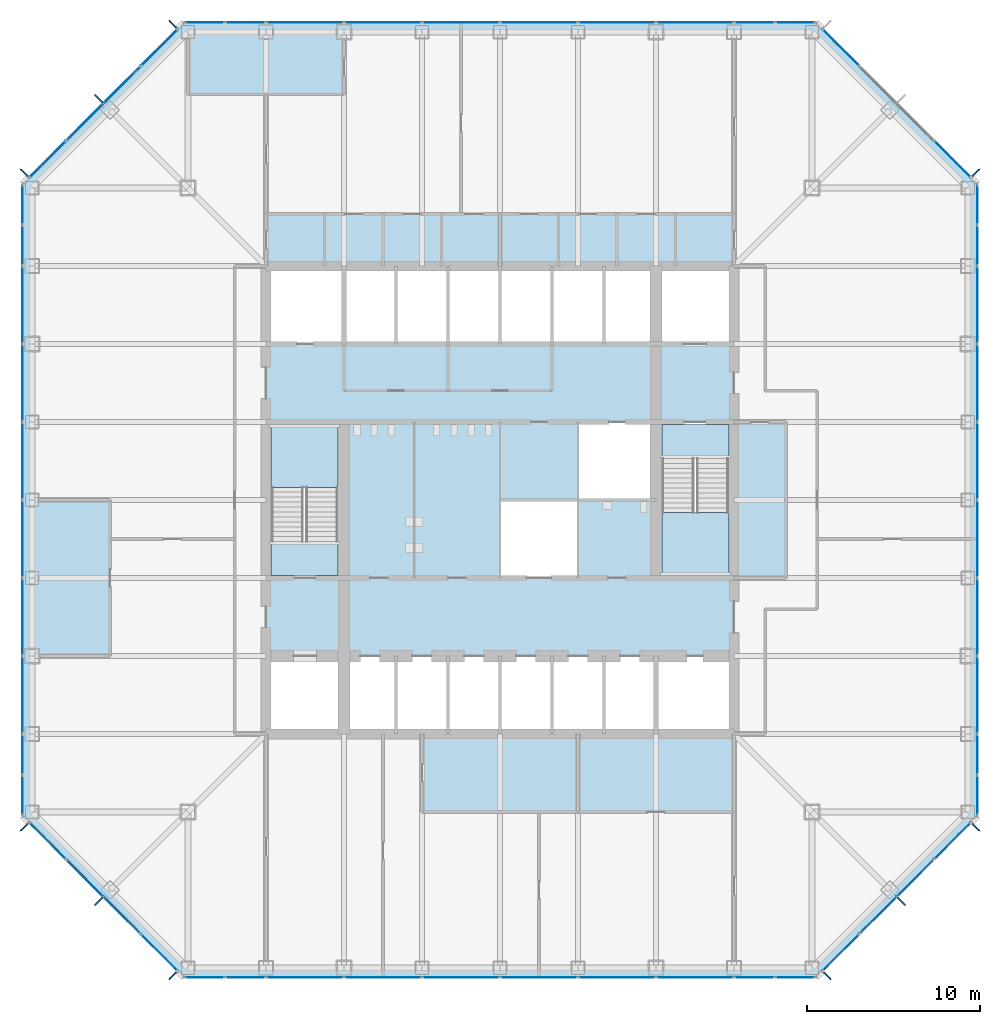
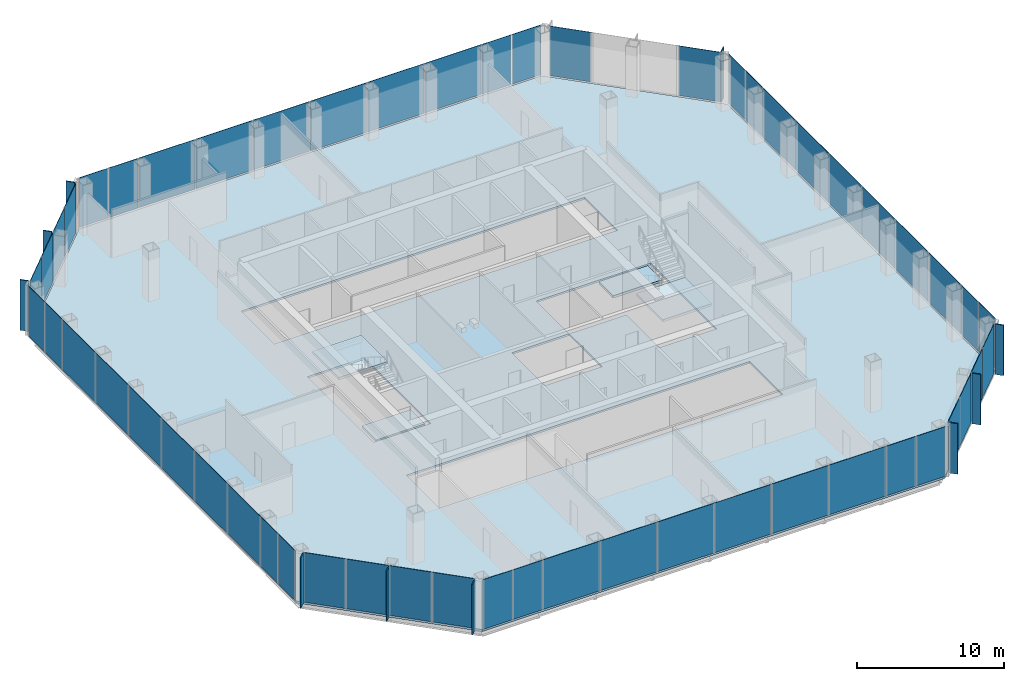
# One storey, part 7 of 13: 64 plates, 5 slabs, 10 elements without a shape of their own.
"""IFC4 building model written with IfcOpenShell, lengths in metres."""

import ifcopenshell
import ifcopenshell.guid

model = None  # the IFC model being written
_history = None  # IfcOwnerHistory: only IFC2X3 demands one
_inside = {}  # id of a spatial element -> (the spatial element, [elements in it])
_under = {}  # id of a project, library or spatial element -> (it, [spatial elements below it])
_declared = {}  # id of a project -> (the project, [libraries it declares])
_typed = {}  # id of a type object -> (the type object, [elements of that type])
_made_of = {}  # id of a material, layer set ... -> (it, [elements and type objects made of it])


def new_model(schema):
    """Start an empty IFC model of exactly this schema.

    Asked for "IFC4X3", IfcOpenShell would pick the latest addendum, in which some entities
    have other attributes; the version numbers below select the first issue.
    IFC2X3 requires an IfcOwnerHistory on every rooted entity: one is made here for all.
    """
    global model, _history
    if schema == "IFC4X3":
        model = ifcopenshell.file(schema_version=(4, 3, 0, 0))
    else:
        model = ifcopenshell.file(schema=schema)
    _inside.clear()
    _under.clear()
    _declared.clear()
    _typed.clear()
    _made_of.clear()
    _history = None
    if model.schema == "IFC2X3":
        org = make("IfcOrganization", Name="unknown")
        user = make(
            "IfcPersonAndOrganization",
            ThePerson=make("IfcPerson", FamilyName="unknown"),
            TheOrganization=org,
        )
        app = make(
            "IfcApplication",
            ApplicationDeveloper=org,
            Version="unknown",
            ApplicationFullName="unknown",
            ApplicationIdentifier="unknown",
        )
        _history = make(
            "IfcOwnerHistory",
            OwningUser=user,
            OwningApplication=app,
            ChangeAction="ADDED",
            CreationDate=0,
        )
    return model


def make(cls, **values):
    """One entity of the class cls with the attributes given. An attribute that is None is left unset."""
    return model.create_entity(
        cls, **{name: value for name, value in values.items() if value is not None}
    )


def rooted(cls, **values):
    """An entity with a GlobalId (a new one), such as an element, a storey or a relation."""
    return make(cls, GlobalId=ifcopenshell.guid.new(), OwnerHistory=_history, **values)


def si_unit(unit_type, name, prefix=None):
    """IfcSIUnit, for example si_unit("LENGTHUNIT", "METRE", prefix="MILLI")."""
    return make("IfcSIUnit", UnitType=unit_type, Prefix=prefix, Name=name)


def assignment(units):
    """IfcUnitAssignment: the units of a project."""
    return None if units is None else make("IfcUnitAssignment", Units=units)


def point(xyz):
    """IfcCartesianPoint."""
    return None if xyz is None else make("IfcCartesianPoint", Coordinates=xyz)


def direction(xyz):
    """IfcDirection."""
    return None if xyz is None else make("IfcDirection", DirectionRatios=xyz)


def frame(location, z_axis=None, x_axis=None):
    """IfcAxis2Placement3D, a coordinate frame: its origin and axes. An axis left out is left unset."""
    return make(
        "IfcAxis2Placement3D",
        Location=point(location),
        Axis=direction(z_axis),
        RefDirection=direction(x_axis),
    )


def frame_2d(location, x_axis=None):
    """IfcAxis2Placement2D, a coordinate frame in the plane: its origin and x axis."""
    return make(
        "IfcAxis2Placement2D", Location=point(location), RefDirection=direction(x_axis)
    )


def origin():
    """The frame at (0, 0, 0) with its axes left unset."""
    return frame((0.0, 0.0, 0.0))


def origin_2d():
    """The frame at (0, 0) in the plane with its x axis left unset."""
    return frame_2d((0.0, 0.0))


def place(relative_to, where):
    """IfcLocalPlacement: puts the frame where relative to a parent placement (None: the world)."""
    return make(
        "IfcLocalPlacement", PlacementRelTo=relative_to, RelativePlacement=where
    )


def context(
    kind, dimensions, precision=None, world=None, true_north=None, identifier=None
):
    """IfcGeometricRepresentationContext, for example the 3D "Model" context."""
    return make(
        "IfcGeometricRepresentationContext",
        ContextIdentifier=identifier,
        ContextType=kind,
        CoordinateSpaceDimension=dimensions,
        Precision=precision,
        WorldCoordinateSystem=world,
        TrueNorth=true_north,
    )


def subcontext(parent, identifier, kind, view, scale=None):
    """IfcGeometricRepresentationSubContext, for example "Body" below "Model"."""
    return make(
        "IfcGeometricRepresentationSubContext",
        ContextIdentifier=identifier,
        ContextType=kind,
        ParentContext=parent,
        TargetScale=scale,
        TargetView=view,
    )


def project(units=None, contexts=None):
    """IfcProject with its units and contexts."""
    return rooted(
        "IfcProject",
        Name="project",
        RepresentationContexts=contexts,
        UnitsInContext=assignment(units),
    )


def spatial(cls, under=None, at=None, **own):
    """A site, building, storey or space (cls), placed at a placement, below another one or the project."""
    s = rooted(cls, ObjectPlacement=at, **own)
    if under is not None:
        _under.setdefault(under.id(), (under, []))[1].append(s)
    return s


def polyline(points):
    """IfcPolyline through the points."""
    return make("IfcPolyline", Points=[point(p) for p in points])


def profile(cls, at=None, kind="AREA", **sizes):
    """A parametric profile (cls). Its sizes go by their IFC names, for example OverallWidth=200.0."""
    return make(cls, ProfileType=kind, Position=at, **sizes)


def rectangle(**sizes):
    """IfcRectangleProfileDef."""
    return profile("IfcRectangleProfileDef", **sizes)


def outline(outer, holes=None, kind="AREA"):
    """IfcArbitraryClosedProfileDef: a profile drawn as a closed curve; with holes, ...WithVoids."""
    if holes is None:
        return make("IfcArbitraryClosedProfileDef", ProfileType=kind, OuterCurve=outer)
    return make(
        "IfcArbitraryProfileDefWithVoids",
        ProfileType=kind,
        OuterCurve=outer,
        InnerCurves=holes,
    )


def extrude(swept, where, along, depth):
    """IfcExtrudedAreaSolid: the profile swept, set in the frame where, extruded along a direction by depth."""
    return make(
        "IfcExtrudedAreaSolid",
        SweptArea=swept,
        Position=where,
        ExtrudedDirection=direction(along),
        Depth=depth,
    )


def shape(context_of_items, identifier, shape_type, items):
    """IfcShapeRepresentation: the items that make up one representation, for example the "Body"."""
    return make(
        "IfcShapeRepresentation",
        ContextOfItems=context_of_items,
        RepresentationIdentifier=identifier,
        RepresentationType=shape_type,
        Items=items,
    )


def material(Name=None, Category=None):
    """IfcMaterial."""
    return make("IfcMaterial", Name=Name, Category=Category)


def layer(
    of_material, thickness, ventilated=None, Name=None, Category=None, Priority=None
):
    """IfcMaterialLayer: one layer of a wall or slab, of a material (None: an air gap)."""
    return make(
        "IfcMaterialLayer",
        Material=of_material,
        LayerThickness=thickness,
        IsVentilated=ventilated,
        Name=Name,
        Category=Category,
        Priority=Priority,
    )


def layer_set(layers, Name=None):
    """IfcMaterialLayerSet."""
    return make("IfcMaterialLayerSet", MaterialLayers=layers, LayerSetName=Name)


def made_of(thing, what):
    """Note that an element or type object is made of a material, layer set ...; save() writes the relation."""
    if what is not None:
        _made_of.setdefault(what.id(), (what, []))[1].append(thing)
    return thing


def type_object(cls, material=None, **own):
    """A type object (cls), such as IfcWallType, which elements share."""
    return made_of(rooted(cls, **own), material)


def element(
    cls,
    number,
    at=None,
    inside=None,
    cuts=None,
    type_object=None,
    material=None,
    context=None,
    identifier="Body",
    shape_type=None,
    held_by="IfcProductDefinitionShape",
    body=None,
    shapes=None,
    **own,
):
    """One element of the class cls, such as IfcWall. Its Tag is "e" and its number.

    at: its placement. inside: the storey or other place that contains it. cuts: it is an
    opening in that element (IfcRelVoidsElement). A single representation is given by context,
    identifier, shape_type and body (its items); several are given by shapes. held_by: the class
    of the entity that holds the representations. save() writes the other relations.
    """
    e = rooted(cls, Tag="e%d" % number, ObjectPlacement=at, **own)
    if body is not None:
        shapes = [shape(context, identifier, shape_type, body)]
    if shapes is not None:
        e.Representation = make(held_by, Representations=shapes)
    if inside is not None:
        _inside.setdefault(inside.id(), (inside, []))[1].append(e)
    if cuts is not None:
        rooted(
            "IfcRelVoidsElement", RelatingBuildingElement=cuts, RelatedOpeningElement=e
        )
    if type_object is not None:
        _typed.setdefault(type_object.id(), (type_object, []))[1].append(e)
    return made_of(e, material)


def aggregate(whole, parts):
    """IfcRelAggregates: a whole, such as a stair, and the parts it consists of."""
    return rooted("IfcRelAggregates", RelatingObject=whole, RelatedObjects=parts)


def save(model, path):
    """Write the relations noted so far, then the file.

    IfcRelAggregates (storeys below a building ...), IfcRelContainedInSpatialStructure (elements
    in a storey), IfcRelDefinesByType, IfcRelAssociatesMaterial and IfcRelDeclares: one each for
    every whole, place, type object, material and project.
    """
    for whole, parts in _under.values():
        aggregate(whole, parts)
    for where, things in _inside.values():
        rooted(
            "IfcRelContainedInSpatialStructure",
            RelatedElements=things,
            RelatingStructure=where,
        )
    for kind, things in _typed.values():
        rooted("IfcRelDefinesByType", RelatedObjects=things, RelatingType=kind)
    for what, things in _made_of.values():
        rooted("IfcRelAssociatesMaterial", RelatedObjects=things, RelatingMaterial=what)
    for by, libraries in _declared.values():
        rooted("IfcRelDeclares", RelatingContext=by, RelatedDefinitions=libraries)
    model.write(path)


model = new_model("IFC4")

# Units and contexts
model_context = context("Model", 3, precision=1e-05, world=origin(), true_north=direction((0.0, 1.0)))
body_context = subcontext(model_context, "Body", "Model", "MODEL_VIEW")
ifc_project = project(units=[si_unit("LENGTHUNIT", "METRE"), si_unit("AREAUNIT", "SQUARE_METRE"), si_unit("VOLUMEUNIT", "CUBIC_METRE"), si_unit("PLANEANGLEUNIT", "RADIAN"), si_unit("MASSUNIT", "GRAM", prefix="KILO")], contexts=[model_context])

# Site, building, storey
site_placement = place(None, origin())
site = spatial("IfcSite", under=ifc_project, at=site_placement, CompositionType="ELEMENT")
building_placement = place(site_placement, origin())
building = spatial("IfcBuilding", under=site, at=building_placement, Name="Corais Broadcast Tower", CompositionType="ELEMENT")
storey_placement = place(building_placement, frame((0.0, 0.0, 62.60009765625)))
storey = spatial("IfcBuildingStorey", under=building, at=storey_placement, Name="L13", CompositionType="ELEMENT", Elevation=62.60009765625)

# Slab
ifc_material_1 = material(Name="Concrete C30/37", Category="concrete")
ifc_layer_1 = layer(ifc_material_1, 0.159912109375)
ifc_layer_set_1 = layer_set([ifc_layer_1], Name="Concrete C30/37")
slab_type_1 = type_object("IfcSlabType", Name="Composite floor slab 160", PredefinedType="FLOOR", material=ifc_layer_set_1)
slab_1_placement = place(storey_placement, frame((0.0, 0.0, -0.16015625)))
element("IfcSlab", 1, at=slab_1_placement, inside=storey, type_object=slab_type_1, Name="S160 floor slab L13", PredefinedType="FLOOR", context=body_context, shape_type="SweptSolid", body=[
    extrude(outline(polyline([(8.80126953125, -0.47998046875), (-0.47998046875, 8.80126953125), (-0.47998046875, 45.19873046875), (8.80126953125, 54.47998046875), (45.19873046875, 54.47998046875), (54.47998046875, 45.19873046875), (54.47998046875, 8.80126953125), (45.19873046875, -0.47998046875), (8.80126953125, -0.47998046875)]), holes=[polyline([(13.5, 18.0), (40.5, 18.0), (40.5, 13.5), (13.5, 13.5), (13.5, 18.0)]), polyline([(13.5, 22.5), (13.5, 31.5), (18.0, 31.5), (18.0, 22.5), (13.5, 22.5)]), polyline([(13.5, 40.5), (40.5, 40.5), (40.5, 36.0), (13.5, 36.0), (13.5, 40.5)]), polyline([(27.0, 22.5), (27.0, 27.0), (31.4951171875, 27.0), (31.4951171875, 27.0048828125), (31.5, 27.0048828125), (31.5, 31.5), (40.5, 31.5), (40.5, 22.5), (36.0, 22.5), (36.0, 27.0), (31.5048828125, 27.0), (31.5048828125, 26.9951171875), (31.5, 26.9951171875), (31.5, 22.5), (27.0, 22.5)])]), origin(), (0.0, 0.0, 1.0), 0.16015625),
])

# Curtain wall, plates
ifc_material_2 = material(Name="Aluminium and glass", Category="aluminium")
curtain_wall_type = type_object("IfcCurtainWallType", Name="Unitised fritted curtain wall CW1", PredefinedType="NOTDEFINED", material=ifc_material_2)
curtain_wall_1_placement = place(storey_placement, origin())
curtain_wall_1 = element("IfcCurtainWall", 2, at=curtain_wall_1_placement, inside=storey, type_object=curtain_wall_type, Name="CW1 curtain wall L13 1", PredefinedType="NOTDEFINED")
ifc_material_3 = material(Name="Ceramic-fritted laminated glass", Category="glass")
ifc_layer_2 = layer(ifc_material_3, 0.030029296875)
ifc_layer_set_2 = layer_set([ifc_layer_2], Name="Ceramic-fritted laminated glass")
plate_type_1 = type_object("IfcPlateType", Name="Fritted glass panel CW1", PredefinedType="CURTAIN_PANEL", material=ifc_layer_set_2)
plate_1_placement = place(storey_placement, frame((7.330322265625, 0.891845703125, 0.06494140625), z_axis=(0.0, 0.0, 1.0), x_axis=(-0.707106781187, 0.707106781187, 0.0)))
plate_1 = element("IfcPlate", 3, at=plate_1_placement, type_object=plate_type_1, Name="CW1 panel 1", PredefinedType="CURTAIN_PANEL", context=body_context, shape_type="SweptSolid", body=[
    extrude(rectangle(XDim=2.9482421875, YDim=0.030029296875, at=origin_2d()), origin(), (0.0, 0.0, 1.0), 4.135009765625),
])
plate_2_placement = place(storey_placement, frame((3.0341796875, 5.18798828125, 0.06494140625), z_axis=(0.0, 0.0, 1.0), x_axis=(-0.707106781187, 0.707106781187, 0.0)))
plate_2 = element("IfcPlate", 4, at=plate_2_placement, type_object=plate_type_1, Name="CW1 panel 3", PredefinedType="CURTAIN_PANEL", context=body_context, shape_type="SweptSolid", body=[
    extrude(rectangle(XDim=2.98095703125, YDim=0.030029296875, at=origin_2d()), origin(), (0.0, 0.0, 1.0), 4.135009765625),
])

curtain_wall_2_placement = place(storey_placement, origin())
curtain_wall_2 = element("IfcCurtainWall", 5, at=curtain_wall_2_placement, inside=storey, type_object=curtain_wall_type, Name="CW1 curtain wall L13 2", PredefinedType="NOTDEFINED")
plate_3_placement = place(storey_placement, frame((-0.550048828125, 9.970458984375, 0.06494140625), z_axis=(0.0, 0.0, 1.0), x_axis=(0.0, 1.0, 0.0)))
plate_3 = element("IfcPlate", 6, at=plate_3_placement, type_object=plate_type_1, Name="CW1 panel 1", PredefinedType="CURTAIN_PANEL", context=body_context, shape_type="SweptSolid", body=[
    extrude(rectangle(XDim=2.266357421875, YDim=0.030029296875, at=origin_2d()), origin(), (0.0, 0.0, 1.0), 4.135009765625),
])
plate_4_placement = place(storey_placement, frame((-0.550048828125, 15.75, 0.06494140625), z_axis=(0.0, 0.0, 1.0), x_axis=(0.0, 1.0, 0.0)))
plate_4 = element("IfcPlate", 7, at=plate_4_placement, type_object=plate_type_1, Name="CW1 panel 3", PredefinedType="CURTAIN_PANEL", context=body_context, shape_type="SweptSolid", body=[
    extrude(rectangle(XDim=4.43505859375, YDim=0.030029296875, at=origin_2d()), origin(), (0.0, 0.0, 1.0), 4.135009765625),
])
plate_5_placement = place(storey_placement, frame((-0.550048828125, 24.75, 0.06494140625), z_axis=(0.0, 0.0, 1.0), x_axis=(0.0, 1.0, 0.0)))
plate_5 = element("IfcPlate", 8, at=plate_5_placement, type_object=plate_type_1, Name="CW1 panel 5", PredefinedType="CURTAIN_PANEL", context=body_context, shape_type="SweptSolid", body=[
    extrude(rectangle(XDim=4.43505859375, YDim=0.030029296875, at=origin_2d()), origin(), (0.0, 0.0, 1.0), 4.135009765625),
])
plate_6_placement = place(storey_placement, frame((-0.550048828125, 33.75, 0.06494140625), z_axis=(0.0, 0.0, 1.0), x_axis=(0.0, 1.0, 0.0)))
plate_6 = element("IfcPlate", 9, at=plate_6_placement, type_object=plate_type_1, Name="CW1 panel 7", PredefinedType="CURTAIN_PANEL", context=body_context, shape_type="SweptSolid", body=[
    extrude(rectangle(XDim=4.43505859375, YDim=0.030029296875, at=origin_2d()), origin(), (0.0, 0.0, 1.0), 4.135009765625),
])
plate_7_placement = place(storey_placement, frame((-0.550048828125, 41.681884765625, 0.06494140625), z_axis=(0.0, 0.0, 1.0), x_axis=(0.0, 1.0, 0.0)))
plate_7 = element("IfcPlate", 10, at=plate_7_placement, type_object=plate_type_1, Name="CW1 panel 9", PredefinedType="CURTAIN_PANEL", context=body_context, shape_type="SweptSolid", body=[
    extrude(rectangle(XDim=2.298828125, YDim=0.030029296875, at=origin_2d()), origin(), (0.0, 0.0, 1.0), 4.135009765625),
])

curtain_wall_3_placement = place(storey_placement, origin())
curtain_wall_3 = element("IfcCurtainWall", 11, at=curtain_wall_3_placement, inside=storey, type_object=curtain_wall_type, Name="CW1 curtain wall L13 3", PredefinedType="NOTDEFINED")
plate_8_placement = place(storey_placement, frame((0.891845703125, 46.669677734375, 0.06494140625), z_axis=(0.0, 0.0, 1.0), x_axis=(0.707106781187, 0.707106781187, 0.0)))
plate_8 = element("IfcPlate", 12, at=plate_8_placement, type_object=plate_type_1, Name="CW1 panel 1", PredefinedType="CURTAIN_PANEL", context=body_context, shape_type="SweptSolid", body=[
    extrude(rectangle(XDim=2.9482421875, YDim=0.030029296875, at=origin_2d()), origin(), (0.0, 0.0, 1.0), 4.135009765625),
])
plate_9_placement = place(storey_placement, frame((5.18798828125, 50.9658203125, 0.06494140625), z_axis=(0.0, 0.0, 1.0), x_axis=(0.707106781187, 0.707106781187, 0.0)))
plate_9 = element("IfcPlate", 13, at=plate_9_placement, type_object=plate_type_1, Name="CW1 panel 3", PredefinedType="CURTAIN_PANEL", context=body_context, shape_type="SweptSolid", body=[
    extrude(rectangle(XDim=2.98095703125, YDim=0.030029296875, at=origin_2d()), origin(), (0.0, 0.0, 1.0), 4.135009765625),
])

curtain_wall_4_placement = place(storey_placement, origin())
curtain_wall_4 = element("IfcCurtainWall", 14, at=curtain_wall_4_placement, inside=storey, type_object=curtain_wall_type, Name="CW1 curtain wall L13 4", PredefinedType="NOTDEFINED")
plate_10_placement = place(storey_placement, frame((9.970458984375, 54.550048828125, 0.06494140625), z_axis=(0.0, 0.0, 1.0), x_axis=(1.0, 0.0, 0.0)))
plate_10 = element("IfcPlate", 15, at=plate_10_placement, type_object=plate_type_1, Name="CW1 panel 1", PredefinedType="CURTAIN_PANEL", context=body_context, shape_type="SweptSolid", body=[
    extrude(rectangle(XDim=2.266357421875, YDim=0.030029296875, at=origin_2d()), origin(), (0.0, 0.0, 1.0), 4.135009765625),
])
plate_11_placement = place(storey_placement, frame((15.75, 54.550048828125, 0.06494140625), z_axis=(0.0, 0.0, 1.0), x_axis=(1.0, 0.0, 0.0)))
plate_11 = element("IfcPlate", 16, at=plate_11_placement, type_object=plate_type_1, Name="CW1 panel 3", PredefinedType="CURTAIN_PANEL", context=body_context, shape_type="SweptSolid", body=[
    extrude(rectangle(XDim=4.43505859375, YDim=0.030029296875, at=origin_2d()), origin(), (0.0, 0.0, 1.0), 4.135009765625),
])
plate_12_placement = place(storey_placement, frame((24.75, 54.550048828125, 0.06494140625), z_axis=(0.0, 0.0, 1.0), x_axis=(1.0, 0.0, 0.0)))
plate_12 = element("IfcPlate", 17, at=plate_12_placement, type_object=plate_type_1, Name="CW1 panel 5", PredefinedType="CURTAIN_PANEL", context=body_context, shape_type="SweptSolid", body=[
    extrude(rectangle(XDim=4.43505859375, YDim=0.030029296875, at=origin_2d()), origin(), (0.0, 0.0, 1.0), 4.135009765625),
])
plate_13_placement = place(storey_placement, frame((33.75, 54.550048828125, 0.06494140625), z_axis=(0.0, 0.0, 1.0), x_axis=(1.0, 0.0, 0.0)))
plate_13 = element("IfcPlate", 18, at=plate_13_placement, type_object=plate_type_1, Name="CW1 panel 7", PredefinedType="CURTAIN_PANEL", context=body_context, shape_type="SweptSolid", body=[
    extrude(rectangle(XDim=4.43505859375, YDim=0.030029296875, at=origin_2d()), origin(), (0.0, 0.0, 1.0), 4.135009765625),
])
plate_14_placement = place(storey_placement, frame((41.681884765625, 54.550048828125, 0.06494140625), z_axis=(0.0, 0.0, 1.0), x_axis=(1.0, 0.0, 0.0)))
plate_14 = element("IfcPlate", 19, at=plate_14_placement, type_object=plate_type_1, Name="CW1 panel 9", PredefinedType="CURTAIN_PANEL", context=body_context, shape_type="SweptSolid", body=[
    extrude(rectangle(XDim=2.298828125, YDim=0.030029296875, at=origin_2d()), origin(), (0.0, 0.0, 1.0), 4.135009765625),
])

# Curtain wall, plate
curtain_wall_5_placement = place(storey_placement, origin())
curtain_wall_5 = element("IfcCurtainWall", 20, at=curtain_wall_5_placement, inside=storey, type_object=curtain_wall_type, Name="CW1 curtain wall L13 5", PredefinedType="NOTDEFINED")
plate_15_placement = place(storey_placement, frame((46.669677734375, 53.108154296875, 0.06494140625), z_axis=(0.0, 0.0, 1.0), x_axis=(0.707106781187, -0.707106781187, 0.0)))
plate_15 = element("IfcPlate", 21, at=plate_15_placement, type_object=plate_type_1, Name="CW1 panel 1", PredefinedType="CURTAIN_PANEL", context=body_context, shape_type="SweptSolid", body=[
    extrude(rectangle(XDim=2.9482421875, YDim=0.030029296875, at=origin_2d()), origin(), (0.0, 0.0, 1.0), 4.135009765625),
])

# Curtain wall, plates
curtain_wall_6_placement = place(storey_placement, origin())
curtain_wall_6 = element("IfcCurtainWall", 22, at=curtain_wall_6_placement, inside=storey, type_object=curtain_wall_type, Name="CW1 curtain wall L13 6", PredefinedType="NOTDEFINED")
plate_16_placement = place(storey_placement, frame((54.550048828125, 44.029541015625, 0.06494140625), z_axis=(0.0, 0.0, 1.0), x_axis=(0.0, -1.0, 0.0)))
plate_16 = element("IfcPlate", 23, at=plate_16_placement, type_object=plate_type_1, Name="CW1 panel 1", PredefinedType="CURTAIN_PANEL", context=body_context, shape_type="SweptSolid", body=[
    extrude(rectangle(XDim=2.266357421875, YDim=0.030029296875, at=origin_2d()), origin(), (0.0, 0.0, 1.0), 4.135009765625),
])
plate_17_placement = place(storey_placement, frame((54.550048828125, 38.25, 0.06494140625), z_axis=(0.0, 0.0, 1.0), x_axis=(0.0, -1.0, 0.0)))
plate_17 = element("IfcPlate", 24, at=plate_17_placement, type_object=plate_type_1, Name="CW1 panel 3", PredefinedType="CURTAIN_PANEL", context=body_context, shape_type="SweptSolid", body=[
    extrude(rectangle(XDim=4.43505859375, YDim=0.030029296875, at=origin_2d()), origin(), (0.0, 0.0, 1.0), 4.135009765625),
])
plate_18_placement = place(storey_placement, frame((54.550048828125, 29.25, 0.06494140625), z_axis=(0.0, 0.0, 1.0), x_axis=(0.0, -1.0, 0.0)))
plate_18 = element("IfcPlate", 25, at=plate_18_placement, type_object=plate_type_1, Name="CW1 panel 5", PredefinedType="CURTAIN_PANEL", context=body_context, shape_type="SweptSolid", body=[
    extrude(rectangle(XDim=4.43505859375, YDim=0.030029296875, at=origin_2d()), origin(), (0.0, 0.0, 1.0), 4.135009765625),
])
plate_19_placement = place(storey_placement, frame((54.550048828125, 20.25, 0.06494140625), z_axis=(0.0, 0.0, 1.0), x_axis=(0.0, -1.0, 0.0)))
plate_19 = element("IfcPlate", 26, at=plate_19_placement, type_object=plate_type_1, Name="CW1 panel 7", PredefinedType="CURTAIN_PANEL", context=body_context, shape_type="SweptSolid", body=[
    extrude(rectangle(XDim=4.43505859375, YDim=0.030029296875, at=origin_2d()), origin(), (0.0, 0.0, 1.0), 4.135009765625),
])
plate_20_placement = place(storey_placement, frame((54.550048828125, 12.318115234375, 0.06494140625), z_axis=(0.0, 0.0, 1.0), x_axis=(0.0, -1.0, 0.0)))
plate_20 = element("IfcPlate", 27, at=plate_20_placement, type_object=plate_type_1, Name="CW1 panel 9", PredefinedType="CURTAIN_PANEL", context=body_context, shape_type="SweptSolid", body=[
    extrude(rectangle(XDim=2.298828125, YDim=0.030029296875, at=origin_2d()), origin(), (0.0, 0.0, 1.0), 4.135009765625),
])

curtain_wall_7_placement = place(storey_placement, origin())
curtain_wall_7 = element("IfcCurtainWall", 28, at=curtain_wall_7_placement, inside=storey, type_object=curtain_wall_type, Name="CW1 curtain wall L13 7", PredefinedType="NOTDEFINED")
plate_21_placement = place(storey_placement, frame((53.108154296875, 7.330322265625, 0.06494140625), z_axis=(0.0, 0.0, 1.0), x_axis=(-0.707106781187, -0.707106781187, 0.0)))
plate_21 = element("IfcPlate", 29, at=plate_21_placement, type_object=plate_type_1, Name="CW1 panel 1", PredefinedType="CURTAIN_PANEL", context=body_context, shape_type="SweptSolid", body=[
    extrude(rectangle(XDim=2.9482421875, YDim=0.030029296875, at=origin_2d()), origin(), (0.0, 0.0, 1.0), 4.135009765625),
])
plate_22_placement = place(storey_placement, frame((48.81201171875, 3.0341796875, 0.06494140625), z_axis=(0.0, 0.0, 1.0), x_axis=(-0.707106781187, -0.707106781187, 0.0)))
plate_22 = element("IfcPlate", 30, at=plate_22_placement, type_object=plate_type_1, Name="CW1 panel 3", PredefinedType="CURTAIN_PANEL", context=body_context, shape_type="SweptSolid", body=[
    extrude(rectangle(XDim=2.98095703125, YDim=0.030029296875, at=origin_2d()), origin(), (0.0, 0.0, 1.0), 4.135009765625),
])

curtain_wall_8_placement = place(storey_placement, origin())
curtain_wall_8 = element("IfcCurtainWall", 31, at=curtain_wall_8_placement, inside=storey, type_object=curtain_wall_type, Name="CW1 curtain wall L13 8", PredefinedType="NOTDEFINED")
plate_23_placement = place(storey_placement, frame((44.029541015625, -0.550048828125, 0.06494140625), z_axis=(0.0, 0.0, 1.0), x_axis=(-1.0, 0.0, 0.0)))
plate_23 = element("IfcPlate", 32, at=plate_23_placement, type_object=plate_type_1, Name="CW1 panel 1", PredefinedType="CURTAIN_PANEL", context=body_context, shape_type="SweptSolid", body=[
    extrude(rectangle(XDim=2.266357421875, YDim=0.030029296875, at=origin_2d()), origin(), (0.0, 0.0, 1.0), 4.135009765625),
])
plate_24_placement = place(storey_placement, frame((38.25, -0.550048828125, 0.06494140625), z_axis=(0.0, 0.0, 1.0), x_axis=(-1.0, 0.0, 0.0)))
plate_24 = element("IfcPlate", 33, at=plate_24_placement, type_object=plate_type_1, Name="CW1 panel 3", PredefinedType="CURTAIN_PANEL", context=body_context, shape_type="SweptSolid", body=[
    extrude(rectangle(XDim=4.43505859375, YDim=0.030029296875, at=origin_2d()), origin(), (0.0, 0.0, 1.0), 4.135009765625),
])
plate_25_placement = place(storey_placement, frame((29.25, -0.550048828125, 0.06494140625), z_axis=(0.0, 0.0, 1.0), x_axis=(-1.0, 0.0, 0.0)))
plate_25 = element("IfcPlate", 34, at=plate_25_placement, type_object=plate_type_1, Name="CW1 panel 5", PredefinedType="CURTAIN_PANEL", context=body_context, shape_type="SweptSolid", body=[
    extrude(rectangle(XDim=4.43505859375, YDim=0.030029296875, at=origin_2d()), origin(), (0.0, 0.0, 1.0), 4.135009765625),
])
plate_26_placement = place(storey_placement, frame((20.25, -0.550048828125, 0.06494140625), z_axis=(0.0, 0.0, 1.0), x_axis=(-1.0, 0.0, 0.0)))
plate_26 = element("IfcPlate", 35, at=plate_26_placement, type_object=plate_type_1, Name="CW1 panel 7", PredefinedType="CURTAIN_PANEL", context=body_context, shape_type="SweptSolid", body=[
    extrude(rectangle(XDim=4.43505859375, YDim=0.030029296875, at=origin_2d()), origin(), (0.0, 0.0, 1.0), 4.135009765625),
])
plate_27_placement = place(storey_placement, frame((12.318115234375, -0.550048828125, 0.06494140625), z_axis=(0.0, 0.0, 1.0), x_axis=(-1.0, 0.0, 0.0)))
plate_27 = element("IfcPlate", 36, at=plate_27_placement, type_object=plate_type_1, Name="CW1 panel 9", PredefinedType="CURTAIN_PANEL", context=body_context, shape_type="SweptSolid", body=[
    extrude(rectangle(XDim=2.298828125, YDim=0.030029296875, at=origin_2d()), origin(), (0.0, 0.0, 1.0), 4.135009765625),
])

# Plate
ifc_material_4 = material(Name="Clear laminated glass", Category="glass")
ifc_layer_3 = layer(ifc_material_4, 0.033935546875)
ifc_layer_set_3 = layer_set([ifc_layer_3], Name="Clear laminated glass")
plate_type_2 = type_object("IfcPlateType", Name="Operable glass panel CW1", PredefinedType="CURTAIN_PANEL", material=ifc_layer_set_3)
plate_28_placement = place(storey_placement, frame((5.18798828125, 3.0341796875, 0.06494140625), z_axis=(0.0, 0.0, 1.0), x_axis=(-0.707106781187, 0.707106781187, 0.0)))
plate_28 = element("IfcPlate", 37, at=plate_28_placement, type_object=plate_type_2, Name="CW1 operable panel 2", PredefinedType="CURTAIN_PANEL", context=body_context, shape_type="SweptSolid", body=[
    extrude(rectangle(XDim=2.98095703125, YDim=0.033935546875, at=origin_2d()), origin(), (0.0, 0.0, 1.0), 4.135009765625),
])

plate_29_placement = place(storey_placement, frame((0.89208984375, 7.330322265625, 0.06494140625), z_axis=(0.0, 0.0, 1.0), x_axis=(-0.707106781187, 0.707106781187, 0.0)))
plate_29 = element("IfcPlate", 38, at=plate_29_placement, type_object=plate_type_2, Name="CW1 operable panel 4", PredefinedType="CURTAIN_PANEL", context=body_context, shape_type="SweptSolid", body=[
    extrude(rectangle(XDim=2.948486328125, YDim=0.033935546875, at=origin_2d()), origin(), (0.0, 0.0, 1.0), 4.135009765625),
])

aggregate(curtain_wall_1, [plate_1, plate_28, plate_2, plate_29])

plate_30_placement = place(storey_placement, frame((-0.550048828125, 12.318115234375, 0.06494140625), z_axis=(0.0, 0.0, 1.0), x_axis=(0.0, 1.0, 0.0)))
plate_30 = element("IfcPlate", 39, at=plate_30_placement, type_object=plate_type_2, Name="CW1 operable panel 2", PredefinedType="CURTAIN_PANEL", context=body_context, shape_type="SweptSolid", body=[
    extrude(rectangle(XDim=2.298828125, YDim=0.033935546875, at=origin_2d()), origin(), (0.0, 0.0, 1.0), 4.135009765625),
])

plate_31_placement = place(storey_placement, frame((-0.550048828125, 20.25, 0.06494140625), z_axis=(0.0, 0.0, 1.0), x_axis=(0.0, 1.0, 0.0)))
plate_31 = element("IfcPlate", 40, at=plate_31_placement, type_object=plate_type_2, Name="CW1 operable panel 4", PredefinedType="CURTAIN_PANEL", context=body_context, shape_type="SweptSolid", body=[
    extrude(rectangle(XDim=4.43505859375, YDim=0.033935546875, at=origin_2d()), origin(), (0.0, 0.0, 1.0), 4.135009765625),
])

plate_32_placement = place(storey_placement, frame((-0.550048828125, 29.25, 0.06494140625), z_axis=(0.0, 0.0, 1.0), x_axis=(0.0, 1.0, 0.0)))
plate_32 = element("IfcPlate", 41, at=plate_32_placement, type_object=plate_type_2, Name="CW1 operable panel 6", PredefinedType="CURTAIN_PANEL", context=body_context, shape_type="SweptSolid", body=[
    extrude(rectangle(XDim=4.43505859375, YDim=0.033935546875, at=origin_2d()), origin(), (0.0, 0.0, 1.0), 4.135009765625),
])

plate_33_placement = place(storey_placement, frame((-0.550048828125, 38.25, 0.06494140625), z_axis=(0.0, 0.0, 1.0), x_axis=(0.0, 1.0, 0.0)))
plate_33 = element("IfcPlate", 42, at=plate_33_placement, type_object=plate_type_2, Name="CW1 operable panel 8", PredefinedType="CURTAIN_PANEL", context=body_context, shape_type="SweptSolid", body=[
    extrude(rectangle(XDim=4.43505859375, YDim=0.033935546875, at=origin_2d()), origin(), (0.0, 0.0, 1.0), 4.135009765625),
])

plate_34_placement = place(storey_placement, frame((-0.550048828125, 44.029541015625, 0.06494140625), z_axis=(0.0, 0.0, 1.0), x_axis=(0.0, 1.0, 0.0)))
plate_34 = element("IfcPlate", 43, at=plate_34_placement, type_object=plate_type_2, Name="CW1 operable panel 10", PredefinedType="CURTAIN_PANEL", context=body_context, shape_type="SweptSolid", body=[
    extrude(rectangle(XDim=2.266357421875, YDim=0.033935546875, at=origin_2d()), origin(), (0.0, 0.0, 1.0), 4.135009765625),
])

aggregate(curtain_wall_2, [plate_3, plate_30, plate_4, plate_31, plate_5, plate_32, plate_6, plate_33, plate_7, plate_34])

plate_35_placement = place(storey_placement, frame((3.0341796875, 48.81201171875, 0.06494140625), z_axis=(0.0, 0.0, 1.0), x_axis=(0.707106781187, 0.707106781187, 0.0)))
plate_35 = element("IfcPlate", 44, at=plate_35_placement, type_object=plate_type_2, Name="CW1 operable panel 2", PredefinedType="CURTAIN_PANEL", context=body_context, shape_type="SweptSolid", body=[
    extrude(rectangle(XDim=2.98095703125, YDim=0.033935546875, at=origin_2d()), origin(), (0.0, 0.0, 1.0), 4.135009765625),
])

plate_36_placement = place(storey_placement, frame((7.330322265625, 53.10791015625, 0.06494140625), z_axis=(0.0, 0.0, 1.0), x_axis=(0.707106781187, 0.707106781187, 0.0)))
plate_36 = element("IfcPlate", 45, at=plate_36_placement, type_object=plate_type_2, Name="CW1 operable panel 4", PredefinedType="CURTAIN_PANEL", context=body_context, shape_type="SweptSolid", body=[
    extrude(rectangle(XDim=2.948486328125, YDim=0.033935546875, at=origin_2d()), origin(), (0.0, 0.0, 1.0), 4.135009765625),
])

aggregate(curtain_wall_3, [plate_8, plate_35, plate_9, plate_36])

plate_37_placement = place(storey_placement, frame((12.318115234375, 54.550048828125, 0.06494140625), z_axis=(0.0, 0.0, 1.0), x_axis=(1.0, 0.0, 0.0)))
plate_37 = element("IfcPlate", 46, at=plate_37_placement, type_object=plate_type_2, Name="CW1 operable panel 2", PredefinedType="CURTAIN_PANEL", context=body_context, shape_type="SweptSolid", body=[
    extrude(rectangle(XDim=2.298828125, YDim=0.033935546875, at=origin_2d()), origin(), (0.0, 0.0, 1.0), 4.135009765625),
])

plate_38_placement = place(storey_placement, frame((20.25, 54.550048828125, 0.06494140625), z_axis=(0.0, 0.0, 1.0), x_axis=(1.0, 0.0, 0.0)))
plate_38 = element("IfcPlate", 47, at=plate_38_placement, type_object=plate_type_2, Name="CW1 operable panel 4", PredefinedType="CURTAIN_PANEL", context=body_context, shape_type="SweptSolid", body=[
    extrude(rectangle(XDim=4.43505859375, YDim=0.033935546875, at=origin_2d()), origin(), (0.0, 0.0, 1.0), 4.135009765625),
])

plate_39_placement = place(storey_placement, frame((29.25, 54.550048828125, 0.06494140625), z_axis=(0.0, 0.0, 1.0), x_axis=(1.0, 0.0, 0.0)))
plate_39 = element("IfcPlate", 48, at=plate_39_placement, type_object=plate_type_2, Name="CW1 operable panel 6", PredefinedType="CURTAIN_PANEL", context=body_context, shape_type="SweptSolid", body=[
    extrude(rectangle(XDim=4.43505859375, YDim=0.033935546875, at=origin_2d()), origin(), (0.0, 0.0, 1.0), 4.135009765625),
])

plate_40_placement = place(storey_placement, frame((38.25, 54.550048828125, 0.06494140625), z_axis=(0.0, 0.0, 1.0), x_axis=(1.0, 0.0, 0.0)))
plate_40 = element("IfcPlate", 49, at=plate_40_placement, type_object=plate_type_2, Name="CW1 operable panel 8", PredefinedType="CURTAIN_PANEL", context=body_context, shape_type="SweptSolid", body=[
    extrude(rectangle(XDim=4.43505859375, YDim=0.033935546875, at=origin_2d()), origin(), (0.0, 0.0, 1.0), 4.135009765625),
])

plate_41_placement = place(storey_placement, frame((44.029541015625, 54.550048828125, 0.06494140625), z_axis=(0.0, 0.0, 1.0), x_axis=(1.0, 0.0, 0.0)))
plate_41 = element("IfcPlate", 50, at=plate_41_placement, type_object=plate_type_2, Name="CW1 operable panel 10", PredefinedType="CURTAIN_PANEL", context=body_context, shape_type="SweptSolid", body=[
    extrude(rectangle(XDim=2.266357421875, YDim=0.033935546875, at=origin_2d()), origin(), (0.0, 0.0, 1.0), 4.135009765625),
])

aggregate(curtain_wall_4, [plate_10, plate_37, plate_11, plate_38, plate_12, plate_39, plate_13, plate_40, plate_14, plate_41])

plate_42_placement = place(storey_placement, frame((53.10791015625, 46.669677734375, 0.06494140625), z_axis=(0.0, 0.0, 1.0), x_axis=(0.707106781187, -0.707106781187, 0.0)))
plate_42 = element("IfcPlate", 51, at=plate_42_placement, type_object=plate_type_2, Name="CW1 operable panel 4", PredefinedType="CURTAIN_PANEL", context=body_context, shape_type="SweptSolid", body=[
    extrude(rectangle(XDim=2.948486328125, YDim=0.033935546875, at=origin_2d()), origin(), (0.0, 0.0, 1.0), 4.135009765625),
])

aggregate(curtain_wall_5, [plate_15, plate_42])

plate_43_placement = place(storey_placement, frame((54.550048828125, 41.681884765625, 0.06494140625), z_axis=(0.0, 0.0, 1.0), x_axis=(0.0, -1.0, 0.0)))
plate_43 = element("IfcPlate", 52, at=plate_43_placement, type_object=plate_type_2, Name="CW1 operable panel 2", PredefinedType="CURTAIN_PANEL", context=body_context, shape_type="SweptSolid", body=[
    extrude(rectangle(XDim=2.298828125, YDim=0.033935546875, at=origin_2d()), origin(), (0.0, 0.0, 1.0), 4.135009765625),
])

plate_44_placement = place(storey_placement, frame((54.550048828125, 33.75, 0.06494140625), z_axis=(0.0, 0.0, 1.0), x_axis=(0.0, -1.0, 0.0)))
plate_44 = element("IfcPlate", 53, at=plate_44_placement, type_object=plate_type_2, Name="CW1 operable panel 4", PredefinedType="CURTAIN_PANEL", context=body_context, shape_type="SweptSolid", body=[
    extrude(rectangle(XDim=4.43505859375, YDim=0.033935546875, at=origin_2d()), origin(), (0.0, 0.0, 1.0), 4.135009765625),
])

plate_45_placement = place(storey_placement, frame((54.550048828125, 24.75, 0.06494140625), z_axis=(0.0, 0.0, 1.0), x_axis=(0.0, -1.0, 0.0)))
plate_45 = element("IfcPlate", 54, at=plate_45_placement, type_object=plate_type_2, Name="CW1 operable panel 6", PredefinedType="CURTAIN_PANEL", context=body_context, shape_type="SweptSolid", body=[
    extrude(rectangle(XDim=4.43505859375, YDim=0.033935546875, at=origin_2d()), origin(), (0.0, 0.0, 1.0), 4.135009765625),
])

plate_46_placement = place(storey_placement, frame((54.550048828125, 15.75, 0.06494140625), z_axis=(0.0, 0.0, 1.0), x_axis=(0.0, -1.0, 0.0)))
plate_46 = element("IfcPlate", 55, at=plate_46_placement, type_object=plate_type_2, Name="CW1 operable panel 8", PredefinedType="CURTAIN_PANEL", context=body_context, shape_type="SweptSolid", body=[
    extrude(rectangle(XDim=4.43505859375, YDim=0.033935546875, at=origin_2d()), origin(), (0.0, 0.0, 1.0), 4.135009765625),
])

plate_47_placement = place(storey_placement, frame((54.550048828125, 9.970458984375, 0.06494140625), z_axis=(0.0, 0.0, 1.0), x_axis=(0.0, -1.0, 0.0)))
plate_47 = element("IfcPlate", 56, at=plate_47_placement, type_object=plate_type_2, Name="CW1 operable panel 10", PredefinedType="CURTAIN_PANEL", context=body_context, shape_type="SweptSolid", body=[
    extrude(rectangle(XDim=2.266357421875, YDim=0.033935546875, at=origin_2d()), origin(), (0.0, 0.0, 1.0), 4.135009765625),
])

aggregate(curtain_wall_6, [plate_16, plate_43, plate_17, plate_44, plate_18, plate_45, plate_19, plate_46, plate_20, plate_47])

plate_48_placement = place(storey_placement, frame((50.9658203125, 5.18798828125, 0.06494140625), z_axis=(0.0, 0.0, 1.0), x_axis=(-0.707106781187, -0.707106781187, 0.0)))
plate_48 = element("IfcPlate", 57, at=plate_48_placement, type_object=plate_type_2, Name="CW1 operable panel 2", PredefinedType="CURTAIN_PANEL", context=body_context, shape_type="SweptSolid", body=[
    extrude(rectangle(XDim=2.98095703125, YDim=0.033935546875, at=origin_2d()), origin(), (0.0, 0.0, 1.0), 4.135009765625),
])

plate_49_placement = place(storey_placement, frame((46.669677734375, 0.89208984375, 0.06494140625), z_axis=(0.0, 0.0, 1.0), x_axis=(-0.707106781187, -0.707106781187, 0.0)))
plate_49 = element("IfcPlate", 58, at=plate_49_placement, type_object=plate_type_2, Name="CW1 operable panel 4", PredefinedType="CURTAIN_PANEL", context=body_context, shape_type="SweptSolid", body=[
    extrude(rectangle(XDim=2.948486328125, YDim=0.033935546875, at=origin_2d()), origin(), (0.0, 0.0, 1.0), 4.135009765625),
])

aggregate(curtain_wall_7, [plate_21, plate_48, plate_22, plate_49])

plate_50_placement = place(storey_placement, frame((41.681884765625, -0.550048828125, 0.06494140625), z_axis=(0.0, 0.0, 1.0), x_axis=(-1.0, 0.0, 0.0)))
plate_50 = element("IfcPlate", 59, at=plate_50_placement, type_object=plate_type_2, Name="CW1 operable panel 2", PredefinedType="CURTAIN_PANEL", context=body_context, shape_type="SweptSolid", body=[
    extrude(rectangle(XDim=2.298828125, YDim=0.033935546875, at=origin_2d()), origin(), (0.0, 0.0, 1.0), 4.135009765625),
])

plate_51_placement = place(storey_placement, frame((33.75, -0.550048828125, 0.06494140625), z_axis=(0.0, 0.0, 1.0), x_axis=(-1.0, 0.0, 0.0)))
plate_51 = element("IfcPlate", 60, at=plate_51_placement, type_object=plate_type_2, Name="CW1 operable panel 4", PredefinedType="CURTAIN_PANEL", context=body_context, shape_type="SweptSolid", body=[
    extrude(rectangle(XDim=4.43505859375, YDim=0.033935546875, at=origin_2d()), origin(), (0.0, 0.0, 1.0), 4.135009765625),
])

plate_52_placement = place(storey_placement, frame((24.75, -0.550048828125, 0.06494140625), z_axis=(0.0, 0.0, 1.0), x_axis=(-1.0, 0.0, 0.0)))
plate_52 = element("IfcPlate", 61, at=plate_52_placement, type_object=plate_type_2, Name="CW1 operable panel 6", PredefinedType="CURTAIN_PANEL", context=body_context, shape_type="SweptSolid", body=[
    extrude(rectangle(XDim=4.43505859375, YDim=0.033935546875, at=origin_2d()), origin(), (0.0, 0.0, 1.0), 4.135009765625),
])

plate_53_placement = place(storey_placement, frame((15.75, -0.550048828125, 0.06494140625), z_axis=(0.0, 0.0, 1.0), x_axis=(-1.0, 0.0, 0.0)))
plate_53 = element("IfcPlate", 62, at=plate_53_placement, type_object=plate_type_2, Name="CW1 operable panel 8", PredefinedType="CURTAIN_PANEL", context=body_context, shape_type="SweptSolid", body=[
    extrude(rectangle(XDim=4.43505859375, YDim=0.033935546875, at=origin_2d()), origin(), (0.0, 0.0, 1.0), 4.135009765625),
])

plate_54_placement = place(storey_placement, frame((9.970458984375, -0.550048828125, 0.06494140625), z_axis=(0.0, 0.0, 1.0), x_axis=(-1.0, 0.0, 0.0)))
plate_54 = element("IfcPlate", 63, at=plate_54_placement, type_object=plate_type_2, Name="CW1 operable panel 10", PredefinedType="CURTAIN_PANEL", context=body_context, shape_type="SweptSolid", body=[
    extrude(rectangle(XDim=2.266357421875, YDim=0.033935546875, at=origin_2d()), origin(), (0.0, 0.0, 1.0), 4.135009765625),
])

aggregate(curtain_wall_8, [plate_23, plate_50, plate_24, plate_51, plate_25, plate_52, plate_26, plate_53, plate_27, plate_54])

# Stair, slabs
ifc_material_5 = material(Name="Concrete C30/37", Category="concrete")
stair_type = type_object("IfcStairType", Name="Half-turn stair 4200", PredefinedType="HALF_TURN_STAIR", material=ifc_material_5)
stair_1_placement = place(storey_placement, origin())
stair_1 = element("IfcStair", 64, at=stair_1_placement, inside=storey, type_object=stair_type, Name="Stair A L13", PredefinedType="HALF_TURN_STAIR")
ifc_material_6 = material(Name="Concrete C30/37", Category="concrete")
ifc_layer_4 = layer(ifc_material_6, 0.199951171875)
ifc_layer_set_4 = layer_set([ifc_layer_4], Name="Concrete C30/37")
slab_type_2 = type_object("IfcSlabType", Name="Stair landing 200", PredefinedType="LANDING", material=ifc_layer_set_4)
slab_2_placement = place(storey_placement, frame((0.0, 0.0, -0.2001953125)))
slab_2 = element("IfcSlab", 65, at=slab_2_placement, type_object=slab_type_2, Name="STA landing 1", PredefinedType="LANDING", context=body_context, shape_type="SweptSolid", body=[
    extrude(outline(polyline([(13.800048828125, 22.64990234375), (17.64990234375, 22.64990234375), (17.64990234375, 24.60009765625), (13.800048828125, 24.60009765625), (13.800048828125, 22.64990234375)])), origin(), (0.0, 0.0, 1.0), 0.2001953125),
])
slab_3_placement = place(storey_placement, frame((0.0, 0.0, 1.89990234375)))
slab_3 = element("IfcSlab", 66, at=slab_3_placement, type_object=slab_type_2, Name="STA landing 2", PredefinedType="LANDING", context=body_context, shape_type="SweptSolid", body=[
    extrude(outline(polyline([(13.800048828125, 27.735107421875), (17.64990234375, 27.735107421875), (17.64990234375, 31.35009765625), (13.800048828125, 31.35009765625), (13.800048828125, 27.735107421875)])), origin(), (0.0, 0.0, 1.0), 0.199951171875),
])
aggregate(stair_1, [slab_2, slab_3])

stair_2_placement = place(storey_placement, origin())
stair_2 = element("IfcStair", 67, at=stair_2_placement, inside=storey, type_object=stair_type, Name="Stair B L13", PredefinedType="HALF_TURN_STAIR")
slab_4_placement = place(storey_placement, frame((0.0, 0.0, -0.2001953125)))
slab_4 = element("IfcSlab", 68, at=slab_4_placement, type_object=slab_type_2, Name="STB landing 1", PredefinedType="LANDING", context=body_context, shape_type="SweptSolid", body=[
    extrude(outline(polyline([(36.35009765625, 29.39990234375), (40.199951171875, 29.39990234375), (40.199951171875, 31.35009765625), (36.35009765625, 31.35009765625), (36.35009765625, 29.39990234375)])), origin(), (0.0, 0.0, 1.0), 0.2001953125),
])
slab_5_placement = place(storey_placement, frame((0.0, 0.0, 1.89990234375)))
slab_5 = element("IfcSlab", 69, at=slab_5_placement, type_object=slab_type_2, Name="STB landing 2", PredefinedType="LANDING", context=body_context, shape_type="SweptSolid", body=[
    extrude(outline(polyline([(36.35009765625, 22.64990234375), (40.199951171875, 22.64990234375), (40.199951171875, 26.264892578125), (36.35009765625, 26.264892578125), (36.35009765625, 22.64990234375)])), origin(), (0.0, 0.0, 1.0), 0.199951171875),
])
aggregate(stair_2, [slab_4, slab_5])

# Plates
ifc_material_7 = material(Name="Granite stone cladding", Category="masonry")
ifc_layer_5 = layer(ifc_material_7, 0.080078125)
ifc_layer_set_5 = layer_set([ifc_layer_5], Name="Granite stone cladding")
plate_type_3 = type_object("IfcPlateType", Name="Stone screen fin 80x600", PredefinedType="USERDEFINED", material=ifc_layer_set_5)
for number, where, z_axis, x_axis, name in (
    (70, (8.114990234375, -0.4541015625, 0.0), (0.0, 0.0, 1.0), (-0.707106781187, 0.707106781187, 0.0), "SF1 stone screen fin L13"),
    (71, (3.830322265625, 3.830322265625, 0.0), (0.0, 0.0, 1.0), (-0.707106781187, 0.707106781187, 0.0), "SF1 stone screen fin L13"),
    (72, (-0.4541015625, 8.114990234375, 0.0), (0.0, 0.0, 1.0), (-0.707106781187, 0.707106781187, 0.0), "SF1 stone screen fin L13"),
    (73, (-0.4541015625, 45.885009765625, 0.0), (0.0, 0.0, 1.0), (0.707106781187, 0.707106781187, 0.0), "SF1 stone screen fin L13"),
    (74, (3.830322265625, 50.169677734375, 0.0), (0.0, 0.0, 1.0), (0.707106781187, 0.707106781187, 0.0), "SF1 stone screen fin L13"),
    (75, (8.114990234375, 54.4541015625, 0.0), (0.0, 0.0, 1.0), (0.707106781187, 0.707106781187, 0.0), "SF1 stone screen fin L13"),
    (76, (54.4541015625, 45.885009765625, 0.0), (0.0, 0.0, 1.0), (0.707106781187, -0.707106781187, 0.0), "SF1 stone screen fin L13"),
    (77, (54.4541015625, 8.114990234375, 0.0), (0.0, 0.0, 1.0), (-0.707106781187, -0.707106781187, 0.0), "SF1 stone screen fin L13"),
    (78, (50.169677734375, 3.830322265625, 0.0), (0.0, 0.0, 1.0), (-0.707106781187, -0.707106781187, 0.0), "SF1 stone screen fin L13"),
    (79, (45.885009765625, -0.4541015625, 0.0), (0.0, 0.0, 1.0), (-0.707106781187, -0.707106781187, 0.0), "SF1 stone screen fin L13"),
):
    element("IfcPlate", number, at=place(storey_placement, frame(where, z_axis=z_axis, x_axis=x_axis)), inside=storey, type_object=plate_type_3, Name=name, ObjectType="STONE SCREEN FIN", PredefinedType="USERDEFINED", context=body_context, shape_type="SweptSolid", body=[
        extrude(rectangle(XDim=0.080078125, YDim=0.60009765625, at=origin_2d()), origin(), (0.0, 0.0, 1.0), 4.199951171875),
    ])

save(model, "model.ifc")
